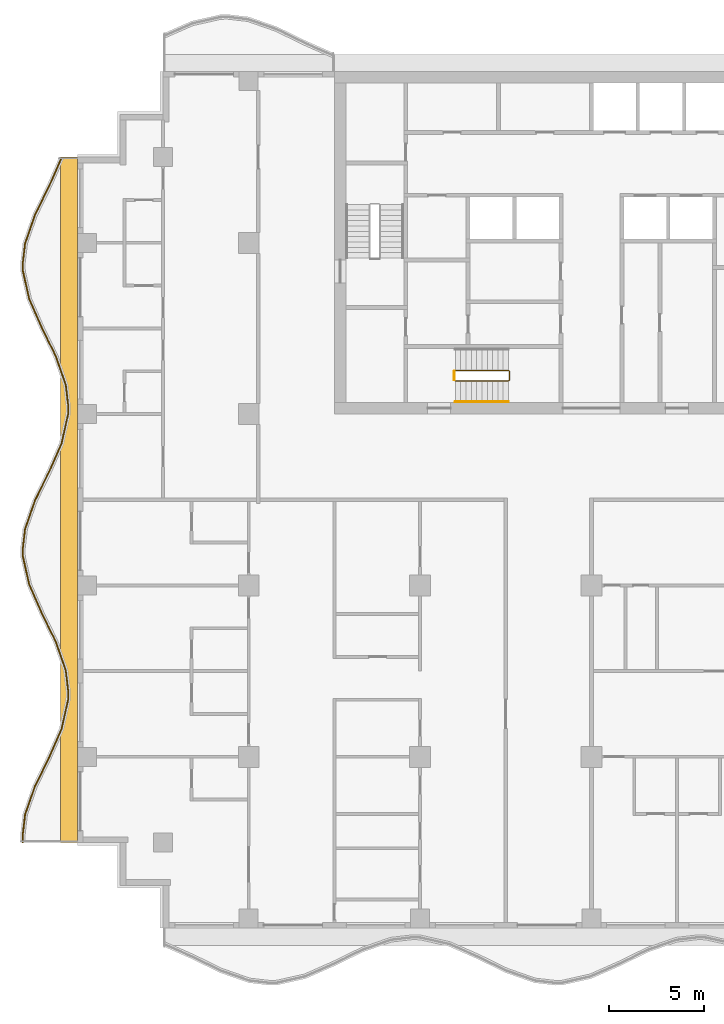
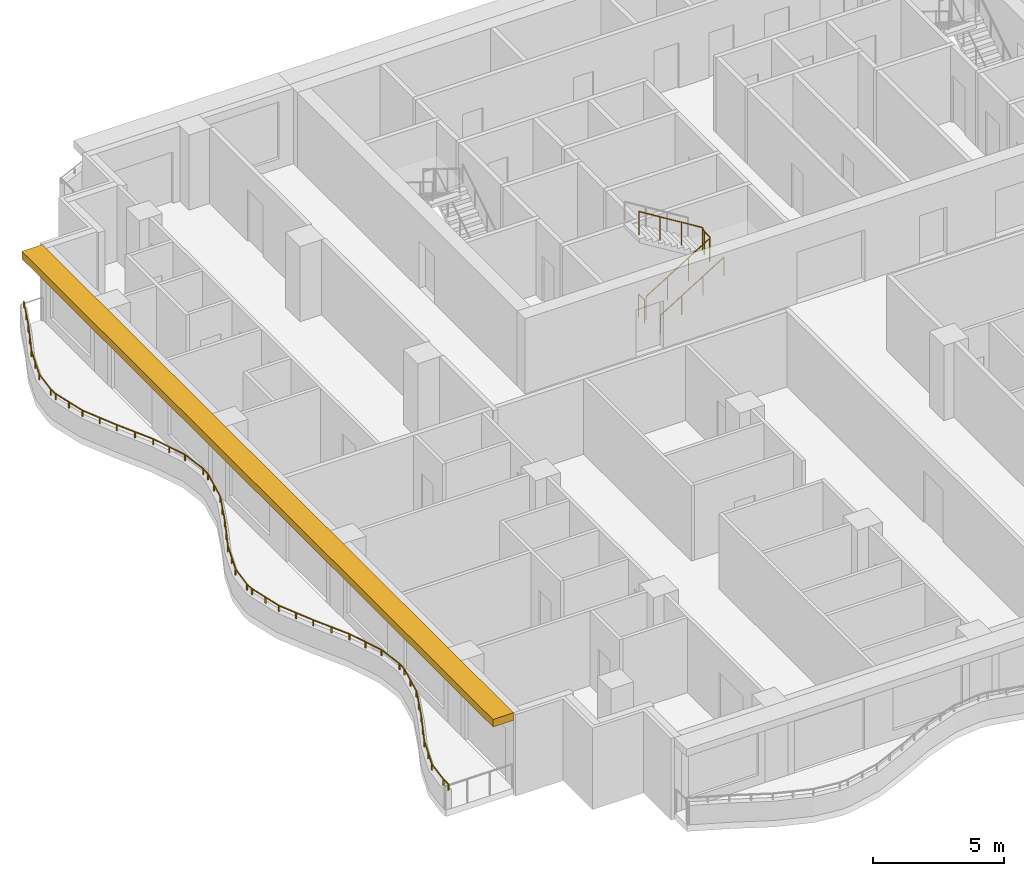
# One storey, part 10 of 12: 4 railings, 1 shading device.
"""IFC4 building model written with IfcOpenShell, lengths in metres."""

from ifc_helpers import new_model, si_unit, direction, frame, origin, origin_2d, place, context, subcontext, project, spatial, polyline, rectangle, circle, outline, extrude, material, layer, layer_set, type_object, element, save


model = new_model("IFC4")

# Units and contexts
model_context = context("Model", 3, precision=1e-05, world=origin(), true_north=direction((0.0, 1.0)))
body_context = subcontext(model_context, "Body", "Model", "MODEL_VIEW")
ifc_project = project(units=[si_unit("LENGTHUNIT", "METRE"), si_unit("AREAUNIT", "SQUARE_METRE"), si_unit("VOLUMEUNIT", "CUBIC_METRE"), si_unit("PLANEANGLEUNIT", "RADIAN"), si_unit("MASSUNIT", "GRAM", prefix="KILO")], contexts=[model_context])

# Site, building, storey
site_placement = place(None, origin())
site = spatial("IfcSite", under=ifc_project, at=site_placement, CompositionType="ELEMENT")
building_placement = place(site_placement, origin())
building = spatial("IfcBuilding", under=site, at=building_placement, Name="Orbiselva Terraces", CompositionType="ELEMENT")
storey_placement = place(building_placement, frame((0.0, 0.0, 207.2)))
storey = spatial("IfcBuildingStorey", under=building, at=storey_placement, Name="L52", CompositionType="ELEMENT", Elevation=207.2)

# Railings
ifc_material_1 = material(Name="Stainless steel", Category="steel")
railing_type_1 = type_object("IfcRailingType", Name="CORE-GUARD-1100", PredefinedType="GUARDRAIL", material=ifc_material_1)
railing_1_placement = place(storey_placement, frame((-7.15, 6.25, 0.172727)))
element("IfcRailing", 1, at=railing_1_placement, inside=storey, type_object=railing_type_1, Name="L52 S3 stair guard 1", PredefinedType="GUARDRAIL", context=body_context, shape_type="SweptSolid", body=[
    extrude(circle(Radius=0.024, at=origin_2d()), frame((0.0, 0.0, 1.081), z_axis=(0.851088519012, 0.0, 0.52502222125), x_axis=(0.0, 1.0, 0.0)), (0.0, 0.0, 1.0), 3.289905),
    extrude(circle(Radius=0.024, at=origin_2d()), frame((2.8, 0.0, 2.808273), z_axis=(0.707106781187, 0.707106781187, 0.0), x_axis=(-0.707106781187, 0.707106781187, 0.0)), (0.0, 0.0, 1.0), 0.070711),
    extrude(circle(Radius=0.024, at=origin_2d()), frame((2.85, 0.05, 2.808273), z_axis=(0.0, 1.0, 0.0), x_axis=(-1.0, 0.0, 0.0)), (0.0, 0.0, 1.0), 0.45),
    extrude(circle(Radius=0.024, at=origin_2d()), frame((2.85, 0.5, 2.808273), z_axis=(-0.267894925557, 0.267894925557, 0.925453736133), x_axis=(-0.707106781187, -0.707106781187, 0.0)), (0.0, 0.0, 1.0), 0.18664),
    extrude(circle(Radius=0.024, at=origin_2d()), frame((2.8, 0.55, 2.981), z_axis=(-0.851088519012, 0.0, 0.52502222125), x_axis=(0.0, -1.0, 0.0)), (0.0, 0.0, 1.0), 3.289905),
    extrude(circle(Radius=0.021, at=origin_2d()), origin(), (0.0, 0.0, 1.0), 1.057),
    extrude(circle(Radius=0.021, at=origin_2d()), frame((0.933333, 0.0, 0.575758)), (0.0, 0.0, 1.0), 1.057),
    extrude(circle(Radius=0.021, at=origin_2d()), frame((1.866667, 0.0, 1.151515)), (0.0, 0.0, 1.0), 1.057),
    extrude(circle(Radius=0.021, at=origin_2d()), frame((2.8, 0.0, 1.727273)), (0.0, 0.0, 1.0), 1.057),
    extrude(circle(Radius=0.021, at=origin_2d()), frame((2.85, 0.05, 1.727273)), (0.0, 0.0, 1.0), 1.057),
    extrude(circle(Radius=0.021, at=origin_2d()), frame((2.85, 0.5, 1.727273)), (0.0, 0.0, 1.0), 1.057),
    extrude(circle(Radius=0.021, at=origin_2d()), frame((2.8, 0.55, 1.9)), (0.0, 0.0, 1.0), 1.057),
    extrude(circle(Radius=0.021, at=origin_2d()), frame((1.866667, 0.55, 2.475758)), (0.0, 0.0, 1.0), 1.057),
    extrude(circle(Radius=0.021, at=origin_2d()), frame((0.933333, 0.55, 3.051515)), (0.0, 0.0, 1.0), 1.057),
    extrude(circle(Radius=0.021, at=origin_2d()), frame((0.0, 0.55, 3.627273)), (0.0, 0.0, 1.0), 1.057),
])
railing_2_placement = place(storey_placement, frame((-7.2, 6.3, 0.0)))
element("IfcRailing", 2, at=railing_2_placement, inside=storey, type_object=railing_type_1, Name="L52 S3 stair guard 2", PredefinedType="GUARDRAIL", context=body_context, shape_type="SweptSolid", body=[
    extrude(circle(Radius=0.024, at=origin_2d()), frame((0.0, 0.0, 1.081), z_axis=(0.0, 1.0, 0.0), x_axis=(-1.0, 0.0, 0.0)), (0.0, 0.0, 1.0), 0.45),
    extrude(circle(Radius=0.021, at=origin_2d()), origin(), (0.0, 0.0, 1.0), 1.057),
    extrude(circle(Radius=0.021, at=origin_2d()), frame((0.0, 0.45, 0.0)), (0.0, 0.0, 1.0), 1.057),
])
railing_type_2 = type_object("IfcRailingType", Name="CORE-HANDRAIL-900", PredefinedType="HANDRAIL", material=ifc_material_1)
railing_3_placement = place(storey_placement, frame((-7.15, 5.15, 0.172727)))
element("IfcRailing", 3, at=railing_3_placement, inside=storey, type_object=railing_type_2, Name="L52 S3 stair handrail 1", PredefinedType="HANDRAIL", context=body_context, shape_type="SweptSolid", body=[
    extrude(circle(Radius=0.024, at=origin_2d()), frame((0.0, 0.0, 0.876), z_axis=(0.851088519012, 0.0, 0.52502222125), x_axis=(0.0, 1.0, 0.0)), (0.0, 0.0, 1.0), 3.289905),
    extrude(circle(Radius=0.021, at=origin_2d()), origin(), (0.0, 0.0, 1.0), 0.852),
    extrude(circle(Radius=0.021, at=origin_2d()), frame((0.933333, 0.0, 0.575758)), (0.0, 0.0, 1.0), 0.852),
    extrude(circle(Radius=0.021, at=origin_2d()), frame((1.866667, 0.0, 1.151515)), (0.0, 0.0, 1.0), 0.852),
    extrude(circle(Radius=0.021, at=origin_2d()), frame((2.8, 0.0, 1.727273)), (0.0, 0.0, 1.0), 0.852),
])
ifc_material_2 = material(Name="Bonded two-ply safety glass balustrade, stainless steel posts", Category="steel")
railing_type_3 = type_object("IfcRailingType", Name="ENV-BALUSTRADE-1200", PredefinedType="BALUSTRADE", material=ifc_material_2)
railing_4_placement = place(storey_placement, frame((-27.83708, 17.949606, 0.9)))
element("IfcRailing", 4, at=railing_4_placement, inside=storey, type_object=railing_type_3, Name="Balcony balustrade L52 W", PredefinedType="BALUSTRADE", context=body_context, shape_type="SweptSolid", body=[
    extrude(outline(polyline([(0.028868, 0.0), (0.014434, 0.025), (-0.014434, 0.025), (-0.028868, 0.0), (-0.014434, -0.025), (0.014434, -0.025), (0.028868, 0.0)])), frame((0.0, 0.0, 0.275), z_axis=(-0.403151175476, -0.915133394491, 0.0), x_axis=(0.915133394491, -0.403151175476, 0.0)), (0.0, 0.0, 1.0), 1.641563),
    extrude(outline(polyline([(0.028868, 0.0), (0.014434, 0.025), (-0.014434, 0.025), (-0.028868, 0.0), (-0.014434, -0.025), (0.014434, -0.025), (0.028868, 0.0)])), frame((-0.661798, -1.502249, 0.275), z_axis=(-0.438811978768, -0.89857890432, 0.0), x_axis=(0.89857890432, -0.438811978768, 0.0)), (0.0, 0.0, 1.0), 1.66438),
    extrude(outline(polyline([(0.028868, 0.0), (0.014434, 0.025), (-0.014434, 0.025), (-0.028868, 0.0), (-0.014434, -0.025), (0.014434, -0.025), (0.028868, 0.0)])), frame((-1.392148, -2.997826, 0.275), z_axis=(-0.330024754707, -0.943972277814, 0.0), x_axis=(0.943972277814, -0.330024754707, 0.0)), (0.0, 0.0, 1.0), 1.567807),
    extrude(outline(polyline([(0.028868, 0.0), (0.014434, 0.025), (-0.014434, 0.025), (-0.028868, 0.0), (-0.014434, -0.025), (0.014434, -0.025), (0.028868, 0.0)])), frame((-1.909563, -4.477792, 0.275), z_axis=(-0.115481264762, -0.993309658409, 0.0), x_axis=(0.993309658409, -0.115481264762, 0.0)), (0.0, 0.0, 1.0), 1.10902),
    extrude(outline(polyline([(0.028868, 0.0), (0.014434, 0.025), (-0.014434, 0.025), (-0.028868, 0.0), (-0.014434, -0.025), (0.014434, -0.025), (0.028868, 0.0)])), frame((-2.037634, -5.579392, 0.275), z_axis=(0.039364150694, -0.999224931454, 0.0), x_axis=(0.999224931454, 0.039364150694, 0.0)), (0.0, 0.0, 1.0), 0.354206),
    extrude(outline(polyline([(0.028868, 0.0), (0.014434, 0.025), (-0.014434, 0.025), (-0.028868, 0.0), (-0.014434, -0.025), (0.014434, -0.025), (0.028868, 0.0)])), frame((-2.023691, -5.933323, 0.275), z_axis=(0.219015740235, -0.975721325753, 0.0), x_axis=(0.975721325753, 0.219015740235, 0.0)), (0.0, 0.0, 1.0), 1.513782),
    extrude(outline(polyline([(0.028868, 0.0), (0.014434, 0.025), (-0.014434, 0.025), (-0.028868, 0.0), (-0.014434, -0.025), (0.014434, -0.025), (0.028868, 0.0)])), frame((-1.692149, -7.410352, 0.275), z_axis=(0.403151245402, -0.915133363686, 0.0), x_axis=(0.915133363686, 0.403151245402, 0.0)), (0.0, 0.0, 1.0), 1.624475),
    extrude(outline(polyline([(0.028868, 0.0), (0.014434, 0.025), (-0.014434, 0.025), (-0.028868, 0.0), (-0.014434, -0.025), (0.014434, -0.025), (0.028868, 0.0)])), frame((-1.03724, -8.896963, 0.275), z_axis=(0.438812048596, -0.898578870221, 0.0), x_axis=(0.898578870221, 0.438812048596, 0.0)), (0.0, 0.0, 1.0), 1.674225),
    extrude(outline(polyline([(0.028868, 0.0), (0.014434, 0.025), (-0.014434, 0.025), (-0.028868, 0.0), (-0.014434, -0.025), (0.014434, -0.025), (0.028868, 0.0)])), frame((-0.30257, -10.401386, 0.275), z_axis=(0.330024597479, -0.943972332783, 0.0), x_axis=(0.943972332783, 0.330024597479, 0.0)), (0.0, 0.0, 1.0), 1.610253),
    extrude(outline(polyline([(0.028868, 0.0), (0.014434, 0.025), (-0.014434, 0.025), (-0.028868, 0.0), (-0.014434, -0.025), (0.014434, -0.025), (0.028868, 0.0)])), frame((0.228853, -11.92142, 0.275), z_axis=(0.115482182324, -0.993309551734, 0.0), x_axis=(0.993309551734, 0.115482182324, 0.0)), (0.0, 0.0, 1.0), 1.156135),
    extrude(outline(polyline([(0.028868, 0.0), (0.014434, 0.025), (-0.014434, 0.025), (-0.028868, 0.0), (-0.014434, -0.025), (0.014434, -0.025), (0.028868, 0.0)])), frame((0.362366, -13.06982, 0.275), z_axis=(-0.03936915532, -0.999224734286, 0.0), x_axis=(0.999224734286, -0.03936915532, 0.0)), (0.0, 0.0, 1.0), 0.396376),
    extrude(outline(polyline([(0.028868, 0.0), (0.014434, 0.025), (-0.014434, 0.025), (-0.028868, 0.0), (-0.014434, -0.025), (0.014434, -0.025), (0.028868, 0.0)])), frame((0.346761, -13.465889, 0.275), z_axis=(-0.219015500924, -0.97572137947, 0.0), x_axis=(0.97572137947, -0.219015500924, 0.0)), (0.0, 0.0, 1.0), 1.560867),
    extrude(outline(polyline([(0.028868, 0.0), (0.014434, 0.025), (-0.014434, 0.025), (-0.028868, 0.0), (-0.014434, -0.025), (0.014434, -0.025), (0.028868, 0.0)])), frame((0.004907, -14.98886, 0.275), z_axis=(-0.403150874148, -0.915133527237, 0.0), x_axis=(0.915133527237, -0.403150874148, 0.0)), (0.0, 0.0, 1.0), 1.653736),
    extrude(outline(polyline([(0.028868, 0.0), (0.014434, 0.025), (-0.014434, 0.025), (-0.028868, 0.0), (-0.014434, -0.025), (0.014434, -0.025), (0.028868, 0.0)])), frame((-0.661798, -16.502249, 0.275), z_axis=(-0.438811978768, -0.89857890432, 0.0), x_axis=(0.89857890432, -0.438811978768, 0.0)), (0.0, 0.0, 1.0), 1.66438),
    extrude(outline(polyline([(0.028868, 0.0), (0.014434, 0.025), (-0.014434, 0.025), (-0.028868, 0.0), (-0.014434, -0.025), (0.014434, -0.025), (0.028868, 0.0)])), frame((-1.392148, -17.997826, 0.275), z_axis=(-0.330024754707, -0.943972277814, 0.0), x_axis=(0.943972277814, -0.330024754707, 0.0)), (0.0, 0.0, 1.0), 1.567807),
    extrude(outline(polyline([(0.028868, 0.0), (0.014434, 0.025), (-0.014434, 0.025), (-0.028868, 0.0), (-0.014434, -0.025), (0.014434, -0.025), (0.028868, 0.0)])), frame((-1.909563, -19.477792, 0.275), z_axis=(-0.115481264762, -0.993309658409, 0.0), x_axis=(0.993309658409, -0.115481264762, 0.0)), (0.0, 0.0, 1.0), 1.10902),
    extrude(outline(polyline([(0.028868, 0.0), (0.014434, 0.025), (-0.014434, 0.025), (-0.028868, 0.0), (-0.014434, -0.025), (0.014434, -0.025), (0.028868, 0.0)])), frame((-2.037634, -20.579392, 0.275), z_axis=(0.039364150694, -0.999224931454, 0.0), x_axis=(0.999224931454, 0.039364150694, 0.0)), (0.0, 0.0, 1.0), 0.354206),
    extrude(outline(polyline([(0.028868, 0.0), (0.014434, 0.025), (-0.014434, 0.025), (-0.028868, 0.0), (-0.014434, -0.025), (0.014434, -0.025), (0.028868, 0.0)])), frame((-2.023691, -20.933323, 0.275), z_axis=(0.219015740235, -0.975721325753, 0.0), x_axis=(0.975721325753, 0.219015740235, 0.0)), (0.0, 0.0, 1.0), 1.513782),
    extrude(outline(polyline([(0.028868, 0.0), (0.014434, 0.025), (-0.014434, 0.025), (-0.028868, 0.0), (-0.014434, -0.025), (0.014434, -0.025), (0.028868, 0.0)])), frame((-1.692149, -22.410352, 0.275), z_axis=(0.403151245402, -0.915133363686, 0.0), x_axis=(0.915133363686, 0.403151245402, 0.0)), (0.0, 0.0, 1.0), 1.624475),
    extrude(outline(polyline([(0.028868, 0.0), (0.014434, 0.025), (-0.014434, 0.025), (-0.028868, 0.0), (-0.014434, -0.025), (0.014434, -0.025), (0.028868, 0.0)])), frame((-1.03724, -23.896963, 0.275), z_axis=(0.438812048596, -0.898578870221, 0.0), x_axis=(0.898578870221, 0.438812048596, 0.0)), (0.0, 0.0, 1.0), 1.674225),
    extrude(outline(polyline([(0.028868, 0.0), (0.014434, 0.025), (-0.014434, 0.025), (-0.028868, 0.0), (-0.014434, -0.025), (0.014434, -0.025), (0.028868, 0.0)])), frame((-0.30257, -25.401386, 0.275), z_axis=(0.330024597479, -0.943972332783, 0.0), x_axis=(0.943972332783, 0.330024597479, 0.0)), (0.0, 0.0, 1.0), 1.610253),
    extrude(outline(polyline([(0.028868, 0.0), (0.014434, 0.025), (-0.014434, 0.025), (-0.028868, 0.0), (-0.014434, -0.025), (0.014434, -0.025), (0.028868, 0.0)])), frame((0.228853, -26.92142, 0.275), z_axis=(0.115482182324, -0.993309551734, 0.0), x_axis=(0.993309551734, 0.115482182324, 0.0)), (0.0, 0.0, 1.0), 1.156135),
    extrude(outline(polyline([(0.028868, 0.0), (0.014434, 0.025), (-0.014434, 0.025), (-0.028868, 0.0), (-0.014434, -0.025), (0.014434, -0.025), (0.028868, 0.0)])), frame((0.362366, -28.06982, 0.275), z_axis=(-0.03936915532, -0.999224734286, 0.0), x_axis=(0.999224734286, -0.03936915532, 0.0)), (0.0, 0.0, 1.0), 0.396376),
    extrude(outline(polyline([(0.028868, 0.0), (0.014434, 0.025), (-0.014434, 0.025), (-0.028868, 0.0), (-0.014434, -0.025), (0.014434, -0.025), (0.028868, 0.0)])), frame((0.346761, -28.465889, 0.275), z_axis=(-0.219015500924, -0.97572137947, 0.0), x_axis=(0.97572137947, -0.219015500924, 0.0)), (0.0, 0.0, 1.0), 1.560867),
    extrude(outline(polyline([(0.028868, 0.0), (0.014434, 0.025), (-0.014434, 0.025), (-0.028868, 0.0), (-0.014434, -0.025), (0.014434, -0.025), (0.028868, 0.0)])), frame((0.004907, -29.98886, 0.275), z_axis=(-0.403150874148, -0.915133527237, 0.0), x_axis=(0.915133527237, -0.403150874148, 0.0)), (0.0, 0.0, 1.0), 1.653736),
    extrude(outline(polyline([(0.028868, 0.0), (0.014434, 0.025), (-0.014434, 0.025), (-0.028868, 0.0), (-0.014434, -0.025), (0.014434, -0.025), (0.028868, 0.0)])), frame((-0.661798, -31.502249, 0.275), z_axis=(-0.438811978768, -0.89857890432, 0.0), x_axis=(0.89857890432, -0.438811978768, 0.0)), (0.0, 0.0, 1.0), 1.66438),
    extrude(outline(polyline([(0.028868, 0.0), (0.014434, 0.025), (-0.014434, 0.025), (-0.028868, 0.0), (-0.014434, -0.025), (0.014434, -0.025), (0.028868, 0.0)])), frame((-1.392148, -32.997826, 0.275), z_axis=(-0.330024754707, -0.943972277814, 0.0), x_axis=(0.943972277814, -0.330024754707, 0.0)), (0.0, 0.0, 1.0), 1.567807),
    extrude(outline(polyline([(0.028868, 0.0), (0.014434, 0.025), (-0.014434, 0.025), (-0.028868, 0.0), (-0.014434, -0.025), (0.014434, -0.025), (0.028868, 0.0)])), frame((-1.909563, -34.477792, 0.275), z_axis=(-0.115481264762, -0.993309658409, 0.0), x_axis=(0.993309658409, -0.115481264762, 0.0)), (0.0, 0.0, 1.0), 1.10902),
    extrude(outline(polyline([(0.028868, 0.0), (0.014434, 0.025), (-0.014434, 0.025), (-0.028868, 0.0), (-0.014434, -0.025), (0.014434, -0.025), (0.028868, 0.0)])), frame((-2.037634, -35.579392, 0.275), z_axis=(0.039365236599, -0.999224888675, 0.0), x_axis=(0.999224888675, 0.039365236599, 0.0)), (0.0, 0.0, 1.0), 0.365576),
    extrude(rectangle(XDim=0.05, YDim=0.05, at=origin_2d()), origin(), (0.0, 0.0, 1.0), 0.25),
    extrude(rectangle(XDim=0.05, YDim=0.05, at=origin_2d()), frame((-0.330899, -0.751124, 0.0)), (0.0, 0.0, 1.0), 0.25),
    extrude(rectangle(XDim=0.05, YDim=0.05, at=origin_2d()), frame((-0.661798, -1.502249, 0.0)), (0.0, 0.0, 1.0), 0.25),
    extrude(rectangle(XDim=0.05, YDim=0.05, at=origin_2d()), frame((-1.026973, -2.250037, 0.0)), (0.0, 0.0, 1.0), 0.25),
    extrude(rectangle(XDim=0.05, YDim=0.05, at=origin_2d()), frame((-1.392148, -2.997826, 0.0)), (0.0, 0.0, 1.0), 0.25),
    extrude(rectangle(XDim=0.05, YDim=0.05, at=origin_2d()), frame((-1.650855, -3.737809, 0.0)), (0.0, 0.0, 1.0), 0.25),
    extrude(rectangle(XDim=0.05, YDim=0.05, at=origin_2d()), frame((-1.909563, -4.477792, 0.0)), (0.0, 0.0, 1.0), 0.25),
    extrude(rectangle(XDim=0.05, YDim=0.05, at=origin_2d()), frame((-2.037634, -5.579392, 0.0)), (0.0, 0.0, 1.0), 0.25),
    extrude(rectangle(XDim=0.05, YDim=0.05, at=origin_2d()), frame((-2.023691, -5.933323, 0.0)), (0.0, 0.0, 1.0), 0.25),
    extrude(rectangle(XDim=0.05, YDim=0.05, at=origin_2d()), frame((-1.85792, -6.671838, 0.0)), (0.0, 0.0, 1.0), 0.25),
    extrude(rectangle(XDim=0.05, YDim=0.05, at=origin_2d()), frame((-1.692149, -7.410352, 0.0)), (0.0, 0.0, 1.0), 0.25),
    extrude(rectangle(XDim=0.05, YDim=0.05, at=origin_2d()), frame((-1.364695, -8.153658, 0.0)), (0.0, 0.0, 1.0), 0.25),
    extrude(rectangle(XDim=0.05, YDim=0.05, at=origin_2d()), frame((-1.03724, -8.896963, 0.0)), (0.0, 0.0, 1.0), 0.25),
    extrude(rectangle(XDim=0.05, YDim=0.05, at=origin_2d()), frame((-0.669905, -9.649174, 0.0)), (0.0, 0.0, 1.0), 0.25),
    extrude(rectangle(XDim=0.05, YDim=0.05, at=origin_2d()), frame((-0.30257, -10.401386, 0.0)), (0.0, 0.0, 1.0), 0.25),
    extrude(rectangle(XDim=0.05, YDim=0.05, at=origin_2d()), frame((-0.036858, -11.161403, 0.0)), (0.0, 0.0, 1.0), 0.25),
    extrude(rectangle(XDim=0.05, YDim=0.05, at=origin_2d()), frame((0.228853, -11.92142, 0.0)), (0.0, 0.0, 1.0), 0.25),
    extrude(rectangle(XDim=0.05, YDim=0.05, at=origin_2d()), frame((0.362366, -13.06982, 0.0)), (0.0, 0.0, 1.0), 0.25),
    extrude(rectangle(XDim=0.05, YDim=0.05, at=origin_2d()), frame((0.346761, -13.465889, 0.0)), (0.0, 0.0, 1.0), 0.25),
    extrude(rectangle(XDim=0.05, YDim=0.05, at=origin_2d()), frame((0.175834, -14.227374, 0.0)), (0.0, 0.0, 1.0), 0.25),
    extrude(rectangle(XDim=0.05, YDim=0.05, at=origin_2d()), frame((0.004907, -14.98886, 0.0)), (0.0, 0.0, 1.0), 0.25),
    extrude(rectangle(XDim=0.05, YDim=0.05, at=origin_2d()), frame((-0.328446, -15.745554, 0.0)), (0.0, 0.0, 1.0), 0.25),
    extrude(rectangle(XDim=0.05, YDim=0.05, at=origin_2d()), frame((-0.661798, -16.502249, 0.0)), (0.0, 0.0, 1.0), 0.25),
    extrude(rectangle(XDim=0.05, YDim=0.05, at=origin_2d()), frame((-1.026973, -17.250037, 0.0)), (0.0, 0.0, 1.0), 0.25),
    extrude(rectangle(XDim=0.05, YDim=0.05, at=origin_2d()), frame((-1.392148, -17.997826, 0.0)), (0.0, 0.0, 1.0), 0.25),
    extrude(rectangle(XDim=0.05, YDim=0.05, at=origin_2d()), frame((-1.650855, -18.737809, 0.0)), (0.0, 0.0, 1.0), 0.25),
    extrude(rectangle(XDim=0.05, YDim=0.05, at=origin_2d()), frame((-1.909563, -19.477792, 0.0)), (0.0, 0.0, 1.0), 0.25),
    extrude(rectangle(XDim=0.05, YDim=0.05, at=origin_2d()), frame((-2.037634, -20.579392, 0.0)), (0.0, 0.0, 1.0), 0.25),
    extrude(rectangle(XDim=0.05, YDim=0.05, at=origin_2d()), frame((-2.023691, -20.933323, 0.0)), (0.0, 0.0, 1.0), 0.25),
    extrude(rectangle(XDim=0.05, YDim=0.05, at=origin_2d()), frame((-1.85792, -21.671838, 0.0)), (0.0, 0.0, 1.0), 0.25),
    extrude(rectangle(XDim=0.05, YDim=0.05, at=origin_2d()), frame((-1.692149, -22.410352, 0.0)), (0.0, 0.0, 1.0), 0.25),
    extrude(rectangle(XDim=0.05, YDim=0.05, at=origin_2d()), frame((-1.364695, -23.153658, 0.0)), (0.0, 0.0, 1.0), 0.25),
    extrude(rectangle(XDim=0.05, YDim=0.05, at=origin_2d()), frame((-1.03724, -23.896963, 0.0)), (0.0, 0.0, 1.0), 0.25),
    extrude(rectangle(XDim=0.05, YDim=0.05, at=origin_2d()), frame((-0.669905, -24.649174, 0.0)), (0.0, 0.0, 1.0), 0.25),
    extrude(rectangle(XDim=0.05, YDim=0.05, at=origin_2d()), frame((-0.30257, -25.401386, 0.0)), (0.0, 0.0, 1.0), 0.25),
    extrude(rectangle(XDim=0.05, YDim=0.05, at=origin_2d()), frame((-0.036858, -26.161403, 0.0)), (0.0, 0.0, 1.0), 0.25),
    extrude(rectangle(XDim=0.05, YDim=0.05, at=origin_2d()), frame((0.228853, -26.92142, 0.0)), (0.0, 0.0, 1.0), 0.25),
    extrude(rectangle(XDim=0.05, YDim=0.05, at=origin_2d()), frame((0.362366, -28.06982, 0.0)), (0.0, 0.0, 1.0), 0.25),
    extrude(rectangle(XDim=0.05, YDim=0.05, at=origin_2d()), frame((0.346761, -28.465889, 0.0)), (0.0, 0.0, 1.0), 0.25),
    extrude(rectangle(XDim=0.05, YDim=0.05, at=origin_2d()), frame((0.175834, -29.227374, 0.0)), (0.0, 0.0, 1.0), 0.25),
    extrude(rectangle(XDim=0.05, YDim=0.05, at=origin_2d()), frame((0.004907, -29.98886, 0.0)), (0.0, 0.0, 1.0), 0.25),
    extrude(rectangle(XDim=0.05, YDim=0.05, at=origin_2d()), frame((-0.328446, -30.745554, 0.0)), (0.0, 0.0, 1.0), 0.25),
    extrude(rectangle(XDim=0.05, YDim=0.05, at=origin_2d()), frame((-0.661798, -31.502249, 0.0)), (0.0, 0.0, 1.0), 0.25),
    extrude(rectangle(XDim=0.05, YDim=0.05, at=origin_2d()), frame((-1.026973, -32.250038, 0.0)), (0.0, 0.0, 1.0), 0.25),
    extrude(rectangle(XDim=0.05, YDim=0.05, at=origin_2d()), frame((-1.392148, -32.997826, 0.0)), (0.0, 0.0, 1.0), 0.25),
    extrude(rectangle(XDim=0.05, YDim=0.05, at=origin_2d()), frame((-1.650855, -33.737809, 0.0)), (0.0, 0.0, 1.0), 0.25),
    extrude(rectangle(XDim=0.05, YDim=0.05, at=origin_2d()), frame((-1.909563, -34.477792, 0.0)), (0.0, 0.0, 1.0), 0.25),
    extrude(rectangle(XDim=0.05, YDim=0.05, at=origin_2d()), frame((-2.037634, -35.579392, 0.0)), (0.0, 0.0, 1.0), 0.25),
    extrude(rectangle(XDim=0.05, YDim=0.05, at=origin_2d()), frame((-2.023243, -35.944685, 0.0)), (0.0, 0.0, 1.0), 0.25),
])

# Shading device
ifc_material_3 = material(Name="Terracotta baguette sunshade", Category="masonry")
ifc_layer = layer(ifc_material_3, 0.35)
ifc_layer_set = layer_set([ifc_layer], Name="Terracotta baguette sunshade")
shading_device_type = type_object("IfcShadingDeviceType", Name="ENV-SUNSHADE-900x350", PredefinedType="USERDEFINED", material=ifc_layer_set)
shading_device_placement = place(storey_placement, frame((0.0, 0.0, 3.15)))
element("IfcShadingDevice", 5, at=shading_device_placement, inside=storey, type_object=shading_device_type, Name="Sunshade band L52 W", ObjectType="SUNSHADE", PredefinedType="USERDEFINED", context=body_context, shape_type="SweptSolid", body=[
    extrude(outline(polyline([(-27.9, 18.0), (-27.9, -18.0), (-27.0, -18.0), (-27.0, 18.0), (-27.9, 18.0)])), origin(), (0.0, 0.0, 1.0), 0.35),
])

save(model, "model.ifc")
